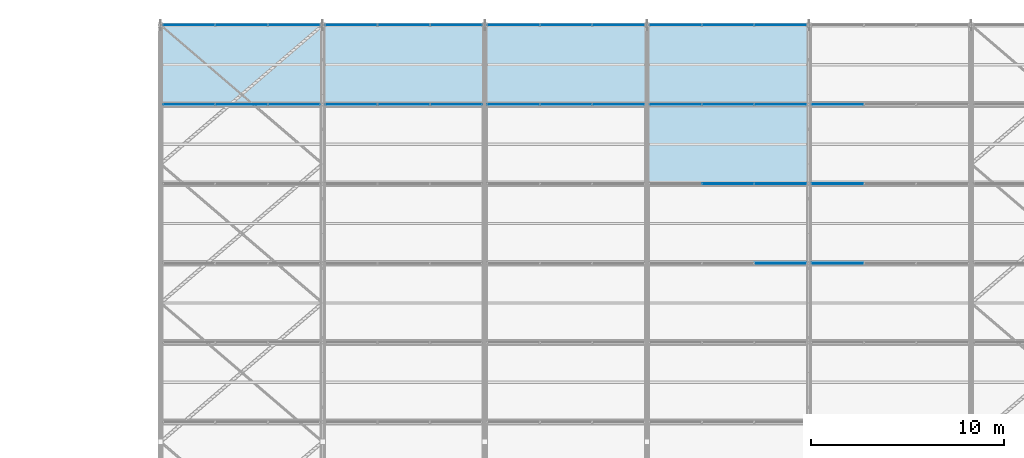
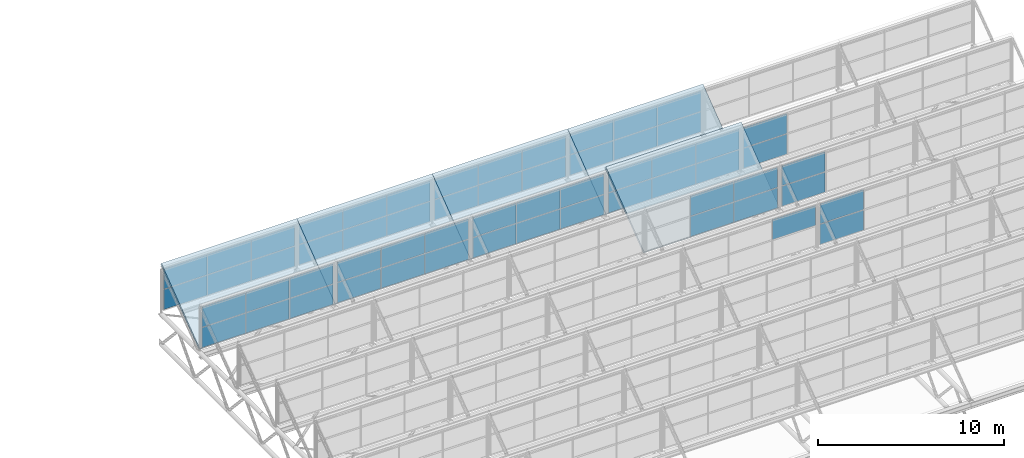
# One storey, part 108 of 134: 59 plates, 5 slabs, 13 elements without a shape of their own.
"""IFC4 building model written with IfcOpenShell, lengths in metres."""

from ifc_helpers import new_model, si_unit, derived_unit, direction, frame, origin, origin_2d, place, context, subcontext, project, spatial, polyline, rectangle, outline, extrude, material, layer, layer_set, type_object, element, aggregate, save


model = new_model("IFC4")

# Units and contexts
model_context = context("Model", 3, precision=1e-05, world=origin(), true_north=direction((0.0, 1.0)))
body_context = subcontext(model_context, "Body", "Model", "MODEL_VIEW")
ifc_project = project(units=[si_unit("LENGTHUNIT", "METRE"), si_unit("AREAUNIT", "SQUARE_METRE"), si_unit("VOLUMEUNIT", "CUBIC_METRE"), si_unit("PLANEANGLEUNIT", "RADIAN"), si_unit("MASSUNIT", "GRAM", prefix="KILO"), derived_unit("THERMALTRANSMITTANCEUNIT", [(si_unit("MASSUNIT", "GRAM", prefix="KILO"), 1), (si_unit("TIMEUNIT", "SECOND"), -3), (si_unit("THERMODYNAMICTEMPERATUREUNIT", "KELVIN"), -1)])], contexts=[model_context])

# Site, building, storey
site_placement = place(None, origin())
site = spatial("IfcSite", under=ifc_project, at=site_placement, CompositionType="ELEMENT")
building_placement = place(site_placement, origin())
building = spatial("IfcBuilding", under=site, at=building_placement, Name="Kharveza Railside Sports Centre", CompositionType="ELEMENT")
storey_placement = place(building_placement, frame((0.0, 0.0, 12.89990234375)))
storey = spatial("IfcBuildingStorey", under=building, at=storey_placement, Name="L03", CompositionType="ELEMENT", Elevation=12.89990234375)

# Curtain wall, plate
ifc_material_1 = material(Name="Low-E solar-control laminated glass", Category="glass")
curtain_wall_type = type_object("IfcCurtainWallType", Name="CW-NL02", PredefinedType="NOTDEFINED", material=ifc_material_1)
curtain_wall_1_placement = place(storey_placement, origin())
curtain_wall_1 = element("IfcCurtainWall", 1, at=curtain_wall_1_placement, inside=storey, type_object=curtain_wall_type, Name="CW-V2NL-4-4", PredefinedType="NOTDEFINED")
ifc_layer_1 = layer(ifc_material_1, 0.033935546875, Name="Low-E solar-control laminated glass")
ifc_layer_set_1 = layer_set([ifc_layer_1], Name="Low-E solar-control laminated glass")
plate_type = type_object("IfcPlateType", Name="PL-CP06", PredefinedType="CURTAIN_PANEL", material=ifc_layer_set_1)
plate_1_placement = place(storey_placement, frame((124.52001953125, 95.656982421875, 3.570068359375), z_axis=(0.0, 0.0, 1.0), x_axis=(1.0, 0.0, 0.0)))
plate_1 = element("IfcPlate", 2, at=plate_1_placement, type_object=plate_type, Name="CW-V2NL-4-4-PN32", PredefinedType="CURTAIN_PANEL", context=body_context, shape_type="SweptSolid", body=[
    extrude(rectangle(XDim=2.679931640625, YDim=0.033935546875, at=origin_2d()), origin(), (0.0, 0.0, 1.0), 1.31005859375),
])
aggregate(curtain_wall_1, [plate_1])

# Curtain wall, plates
curtain_wall_2_placement = place(storey_placement, origin())
curtain_wall_2 = element("IfcCurtainWall", 3, at=curtain_wall_2_placement, inside=storey, type_object=curtain_wall_type, Name="CW-V2NL-4-5", PredefinedType="NOTDEFINED")
plate_2_placement = place(storey_placement, frame((127.47998046875, 95.656982421875, 2.219970703125), z_axis=(0.0, 0.0, 1.0), x_axis=(1.0, 0.0, 0.0)))
plate_2 = element("IfcPlate", 4, at=plate_2_placement, type_object=plate_type, Name="CW-V2NL-4-5-PN11", PredefinedType="CURTAIN_PANEL", context=body_context, shape_type="SweptSolid", body=[
    extrude(rectangle(XDim=2.679931640625, YDim=0.033935546875, at=origin_2d()), origin(), (0.0, 0.0, 1.0), 1.31005859375),
])
plate_3_placement = place(storey_placement, frame((127.47998046875, 95.656982421875, 3.570068359375), z_axis=(0.0, 0.0, 1.0), x_axis=(1.0, 0.0, 0.0)))
plate_3 = element("IfcPlate", 5, at=plate_3_placement, type_object=plate_type, Name="CW-V2NL-4-5-PN12", PredefinedType="CURTAIN_PANEL", context=body_context, shape_type="SweptSolid", body=[
    extrude(rectangle(XDim=2.679931640625, YDim=0.033935546875, at=origin_2d()), origin(), (0.0, 0.0, 1.0), 1.31005859375),
])
aggregate(curtain_wall_2, [plate_2, plate_3])

curtain_wall_3_placement = place(storey_placement, origin())
curtain_wall_3 = element("IfcCurtainWall", 6, at=curtain_wall_3_placement, inside=storey, type_object=curtain_wall_type, Name="CW-V2NL-5-4", PredefinedType="NOTDEFINED")
plate_4_placement = place(storey_placement, frame((121.800048828125, 99.771484375, 2.219970703125), z_axis=(0.0, 0.0, 1.0), x_axis=(1.0, 0.0, 0.0)))
plate_4 = element("IfcPlate", 7, at=plate_4_placement, type_object=plate_type, Name="CW-V2NL-5-4-PN21", PredefinedType="CURTAIN_PANEL", context=body_context, shape_type="SweptSolid", body=[
    extrude(rectangle(XDim=2.679931640625, YDim=0.033935546875, at=origin_2d()), origin(), (0.0, 0.0, 1.0), 1.31005859375),
])
plate_5_placement = place(storey_placement, frame((121.800048828125, 99.771484375, 3.570068359375), z_axis=(0.0, 0.0, 1.0), x_axis=(1.0, 0.0, 0.0)))
plate_5 = element("IfcPlate", 8, at=plate_5_placement, type_object=plate_type, Name="CW-V2NL-5-4-PN22", PredefinedType="CURTAIN_PANEL", context=body_context, shape_type="SweptSolid", body=[
    extrude(rectangle(XDim=2.679931640625, YDim=0.033935546875, at=origin_2d()), origin(), (0.0, 0.0, 1.0), 1.31005859375),
])
plate_6_placement = place(storey_placement, frame((124.52001953125, 99.771484375, 2.219970703125), z_axis=(0.0, 0.0, 1.0), x_axis=(1.0, 0.0, 0.0)))
plate_6 = element("IfcPlate", 9, at=plate_6_placement, type_object=plate_type, Name="CW-V2NL-5-4-PN31", PredefinedType="CURTAIN_PANEL", context=body_context, shape_type="SweptSolid", body=[
    extrude(rectangle(XDim=2.679931640625, YDim=0.033935546875, at=origin_2d()), origin(), (0.0, 0.0, 1.0), 1.31005859375),
])
plate_7_placement = place(storey_placement, frame((124.52001953125, 99.771484375, 3.570068359375), z_axis=(0.0, 0.0, 1.0), x_axis=(1.0, 0.0, 0.0)))
plate_7 = element("IfcPlate", 10, at=plate_7_placement, type_object=plate_type, Name="CW-V2NL-5-4-PN32", PredefinedType="CURTAIN_PANEL", context=body_context, shape_type="SweptSolid", body=[
    extrude(rectangle(XDim=2.679931640625, YDim=0.033935546875, at=origin_2d()), origin(), (0.0, 0.0, 1.0), 1.31005859375),
])
aggregate(curtain_wall_3, [plate_4, plate_5, plate_6, plate_7])

curtain_wall_4_placement = place(storey_placement, origin())
curtain_wall_4 = element("IfcCurtainWall", 11, at=curtain_wall_4_placement, inside=storey, type_object=curtain_wall_type, Name="CW-V2NL-5-5", PredefinedType="NOTDEFINED")
plate_8_placement = place(storey_placement, frame((127.47998046875, 99.771484375, 2.219970703125), z_axis=(0.0, 0.0, 1.0), x_axis=(1.0, 0.0, 0.0)))
plate_8 = element("IfcPlate", 12, at=plate_8_placement, type_object=plate_type, Name="CW-V2NL-5-5-PN11", PredefinedType="CURTAIN_PANEL", context=body_context, shape_type="SweptSolid", body=[
    extrude(rectangle(XDim=2.679931640625, YDim=0.033935546875, at=origin_2d()), origin(), (0.0, 0.0, 1.0), 1.31005859375),
])
plate_9_placement = place(storey_placement, frame((127.47998046875, 99.771484375, 3.570068359375), z_axis=(0.0, 0.0, 1.0), x_axis=(1.0, 0.0, 0.0)))
plate_9 = element("IfcPlate", 13, at=plate_9_placement, type_object=plate_type, Name="CW-V2NL-5-5-PN12", PredefinedType="CURTAIN_PANEL", context=body_context, shape_type="SweptSolid", body=[
    extrude(rectangle(XDim=2.679931640625, YDim=0.033935546875, at=origin_2d()), origin(), (0.0, 0.0, 1.0), 1.31005859375),
])
aggregate(curtain_wall_4, [plate_8, plate_9])

curtain_wall_5_placement = place(storey_placement, origin())
curtain_wall_5 = element("IfcCurtainWall", 14, at=curtain_wall_5_placement, inside=storey, type_object=curtain_wall_type, Name="CW-V2NL-6-1", PredefinedType="NOTDEFINED")
plate_10_placement = place(storey_placement, frame((93.8798828125, 103.8857421875, 2.219970703125), z_axis=(0.0, 0.0, 1.0), x_axis=(1.0, 0.0, 0.0)))
plate_10 = element("IfcPlate", 15, at=plate_10_placement, type_object=plate_type, Name="CW-V2NL-6-1-PN11", PredefinedType="CURTAIN_PANEL", context=body_context, shape_type="SweptSolid", body=[
    extrude(rectangle(XDim=2.679931640625, YDim=0.033935546875, at=origin_2d()), origin(), (0.0, 0.0, 1.0), 1.31005859375),
])
plate_11_placement = place(storey_placement, frame((93.8798828125, 103.8857421875, 3.570068359375), z_axis=(0.0, 0.0, 1.0), x_axis=(1.0, 0.0, 0.0)))
plate_11 = element("IfcPlate", 16, at=plate_11_placement, type_object=plate_type, Name="CW-V2NL-6-1-PN12", PredefinedType="CURTAIN_PANEL", context=body_context, shape_type="SweptSolid", body=[
    extrude(rectangle(XDim=2.679931640625, YDim=0.033935546875, at=origin_2d()), origin(), (0.0, 0.0, 1.0), 1.31005859375),
])
plate_12_placement = place(storey_placement, frame((96.60009765625, 103.8857421875, 2.219970703125), z_axis=(0.0, 0.0, 1.0), x_axis=(1.0, 0.0, 0.0)))
plate_12 = element("IfcPlate", 17, at=plate_12_placement, type_object=plate_type, Name="CW-V2NL-6-1-PN21", PredefinedType="CURTAIN_PANEL", context=body_context, shape_type="SweptSolid", body=[
    extrude(rectangle(XDim=2.679931640625, YDim=0.033935546875, at=origin_2d()), origin(), (0.0, 0.0, 1.0), 1.31005859375),
])
plate_13_placement = place(storey_placement, frame((96.60009765625, 103.8857421875, 3.570068359375), z_axis=(0.0, 0.0, 1.0), x_axis=(1.0, 0.0, 0.0)))
plate_13 = element("IfcPlate", 18, at=plate_13_placement, type_object=plate_type, Name="CW-V2NL-6-1-PN22", PredefinedType="CURTAIN_PANEL", context=body_context, shape_type="SweptSolid", body=[
    extrude(rectangle(XDim=2.679931640625, YDim=0.033935546875, at=origin_2d()), origin(), (0.0, 0.0, 1.0), 1.31005859375),
])
plate_14_placement = place(storey_placement, frame((99.320068359375, 103.8857421875, 2.219970703125), z_axis=(0.0, 0.0, 1.0), x_axis=(1.0, 0.0, 0.0)))
plate_14 = element("IfcPlate", 19, at=plate_14_placement, type_object=plate_type, Name="CW-V2NL-6-1-PN31", PredefinedType="CURTAIN_PANEL", context=body_context, shape_type="SweptSolid", body=[
    extrude(rectangle(XDim=2.679931640625, YDim=0.033935546875, at=origin_2d()), origin(), (0.0, 0.0, 1.0), 1.31005859375),
])
plate_15_placement = place(storey_placement, frame((99.320068359375, 103.8857421875, 3.570068359375), z_axis=(0.0, 0.0, 1.0), x_axis=(1.0, 0.0, 0.0)))
plate_15 = element("IfcPlate", 20, at=plate_15_placement, type_object=plate_type, Name="CW-V2NL-6-1-PN32", PredefinedType="CURTAIN_PANEL", context=body_context, shape_type="SweptSolid", body=[
    extrude(rectangle(XDim=2.679931640625, YDim=0.033935546875, at=origin_2d()), origin(), (0.0, 0.0, 1.0), 1.31005859375),
])
aggregate(curtain_wall_5, [plate_10, plate_11, plate_12, plate_13, plate_14, plate_15])

curtain_wall_6_placement = place(storey_placement, origin())
curtain_wall_6 = element("IfcCurtainWall", 21, at=curtain_wall_6_placement, inside=storey, type_object=curtain_wall_type, Name="CW-V2NL-6-2", PredefinedType="NOTDEFINED")
plate_16_placement = place(storey_placement, frame((102.280029296875, 103.8857421875, 2.219970703125), z_axis=(0.0, 0.0, 1.0), x_axis=(1.0, 0.0, 0.0)))
plate_16 = element("IfcPlate", 22, at=plate_16_placement, type_object=plate_type, Name="CW-V2NL-6-2-PN11", PredefinedType="CURTAIN_PANEL", context=body_context, shape_type="SweptSolid", body=[
    extrude(rectangle(XDim=2.679931640625, YDim=0.033935546875, at=origin_2d()), origin(), (0.0, 0.0, 1.0), 1.31005859375),
])
plate_17_placement = place(storey_placement, frame((102.280029296875, 103.8857421875, 3.570068359375), z_axis=(0.0, 0.0, 1.0), x_axis=(1.0, 0.0, 0.0)))
plate_17 = element("IfcPlate", 23, at=plate_17_placement, type_object=plate_type, Name="CW-V2NL-6-2-PN12", PredefinedType="CURTAIN_PANEL", context=body_context, shape_type="SweptSolid", body=[
    extrude(rectangle(XDim=2.679931640625, YDim=0.033935546875, at=origin_2d()), origin(), (0.0, 0.0, 1.0), 1.31005859375),
])
plate_18_placement = place(storey_placement, frame((105.0, 103.8857421875, 2.219970703125), z_axis=(0.0, 0.0, 1.0), x_axis=(1.0, 0.0, 0.0)))
plate_18 = element("IfcPlate", 24, at=plate_18_placement, type_object=plate_type, Name="CW-V2NL-6-2-PN21", PredefinedType="CURTAIN_PANEL", context=body_context, shape_type="SweptSolid", body=[
    extrude(rectangle(XDim=2.679931640625, YDim=0.033935546875, at=origin_2d()), origin(), (0.0, 0.0, 1.0), 1.31005859375),
])
plate_19_placement = place(storey_placement, frame((105.0, 103.8857421875, 3.570068359375), z_axis=(0.0, 0.0, 1.0), x_axis=(1.0, 0.0, 0.0)))
plate_19 = element("IfcPlate", 25, at=plate_19_placement, type_object=plate_type, Name="CW-V2NL-6-2-PN22", PredefinedType="CURTAIN_PANEL", context=body_context, shape_type="SweptSolid", body=[
    extrude(rectangle(XDim=2.679931640625, YDim=0.033935546875, at=origin_2d()), origin(), (0.0, 0.0, 1.0), 1.31005859375),
])
plate_20_placement = place(storey_placement, frame((107.719970703125, 103.8857421875, 2.219970703125), z_axis=(0.0, 0.0, 1.0), x_axis=(1.0, 0.0, 0.0)))
plate_20 = element("IfcPlate", 26, at=plate_20_placement, type_object=plate_type, Name="CW-V2NL-6-2-PN31", PredefinedType="CURTAIN_PANEL", context=body_context, shape_type="SweptSolid", body=[
    extrude(rectangle(XDim=2.679931640625, YDim=0.033935546875, at=origin_2d()), origin(), (0.0, 0.0, 1.0), 1.31005859375),
])
plate_21_placement = place(storey_placement, frame((107.719970703125, 103.8857421875, 3.570068359375), z_axis=(0.0, 0.0, 1.0), x_axis=(1.0, 0.0, 0.0)))
plate_21 = element("IfcPlate", 27, at=plate_21_placement, type_object=plate_type, Name="CW-V2NL-6-2-PN32", PredefinedType="CURTAIN_PANEL", context=body_context, shape_type="SweptSolid", body=[
    extrude(rectangle(XDim=2.679931640625, YDim=0.033935546875, at=origin_2d()), origin(), (0.0, 0.0, 1.0), 1.31005859375),
])
aggregate(curtain_wall_6, [plate_16, plate_17, plate_18, plate_19, plate_20, plate_21])

curtain_wall_7_placement = place(storey_placement, origin())
curtain_wall_7 = element("IfcCurtainWall", 28, at=curtain_wall_7_placement, inside=storey, type_object=curtain_wall_type, Name="CW-V2NL-6-3", PredefinedType="NOTDEFINED")
plate_22_placement = place(storey_placement, frame((110.679931640625, 103.8857421875, 2.219970703125), z_axis=(0.0, 0.0, 1.0), x_axis=(1.0, 0.0, 0.0)))
plate_22 = element("IfcPlate", 29, at=plate_22_placement, type_object=plate_type, Name="CW-V2NL-6-3-PN11", PredefinedType="CURTAIN_PANEL", context=body_context, shape_type="SweptSolid", body=[
    extrude(rectangle(XDim=2.679931640625, YDim=0.033935546875, at=origin_2d()), origin(), (0.0, 0.0, 1.0), 1.31005859375),
])
plate_23_placement = place(storey_placement, frame((110.679931640625, 103.8857421875, 3.570068359375), z_axis=(0.0, 0.0, 1.0), x_axis=(1.0, 0.0, 0.0)))
plate_23 = element("IfcPlate", 30, at=plate_23_placement, type_object=plate_type, Name="CW-V2NL-6-3-PN12", PredefinedType="CURTAIN_PANEL", context=body_context, shape_type="SweptSolid", body=[
    extrude(rectangle(XDim=2.679931640625, YDim=0.033935546875, at=origin_2d()), origin(), (0.0, 0.0, 1.0), 1.31005859375),
])
plate_24_placement = place(storey_placement, frame((113.39990234375, 103.8857421875, 2.219970703125), z_axis=(0.0, 0.0, 1.0), x_axis=(1.0, 0.0, 0.0)))
plate_24 = element("IfcPlate", 31, at=plate_24_placement, type_object=plate_type, Name="CW-V2NL-6-3-PN21", PredefinedType="CURTAIN_PANEL", context=body_context, shape_type="SweptSolid", body=[
    extrude(rectangle(XDim=2.679931640625, YDim=0.033935546875, at=origin_2d()), origin(), (0.0, 0.0, 1.0), 1.31005859375),
])
plate_25_placement = place(storey_placement, frame((113.39990234375, 103.8857421875, 3.570068359375), z_axis=(0.0, 0.0, 1.0), x_axis=(1.0, 0.0, 0.0)))
plate_25 = element("IfcPlate", 32, at=plate_25_placement, type_object=plate_type, Name="CW-V2NL-6-3-PN22", PredefinedType="CURTAIN_PANEL", context=body_context, shape_type="SweptSolid", body=[
    extrude(rectangle(XDim=2.679931640625, YDim=0.033935546875, at=origin_2d()), origin(), (0.0, 0.0, 1.0), 1.31005859375),
])
plate_26_placement = place(storey_placement, frame((116.1201171875, 103.8857421875, 2.219970703125), z_axis=(0.0, 0.0, 1.0), x_axis=(1.0, 0.0, 0.0)))
plate_26 = element("IfcPlate", 33, at=plate_26_placement, type_object=plate_type, Name="CW-V2NL-6-3-PN31", PredefinedType="CURTAIN_PANEL", context=body_context, shape_type="SweptSolid", body=[
    extrude(rectangle(XDim=2.679931640625, YDim=0.033935546875, at=origin_2d()), origin(), (0.0, 0.0, 1.0), 1.31005859375),
])
plate_27_placement = place(storey_placement, frame((116.1201171875, 103.8857421875, 3.570068359375), z_axis=(0.0, 0.0, 1.0), x_axis=(1.0, 0.0, 0.0)))
plate_27 = element("IfcPlate", 34, at=plate_27_placement, type_object=plate_type, Name="CW-V2NL-6-3-PN32", PredefinedType="CURTAIN_PANEL", context=body_context, shape_type="SweptSolid", body=[
    extrude(rectangle(XDim=2.679931640625, YDim=0.033935546875, at=origin_2d()), origin(), (0.0, 0.0, 1.0), 1.31005859375),
])
aggregate(curtain_wall_7, [plate_22, plate_23, plate_24, plate_25, plate_26, plate_27])

curtain_wall_8_placement = place(storey_placement, origin())
curtain_wall_8 = element("IfcCurtainWall", 35, at=curtain_wall_8_placement, inside=storey, type_object=curtain_wall_type, Name="CW-V2NL-6-4", PredefinedType="NOTDEFINED")
plate_28_placement = place(storey_placement, frame((119.080078125, 103.8857421875, 2.219970703125), z_axis=(0.0, 0.0, 1.0), x_axis=(1.0, 0.0, 0.0)))
plate_28 = element("IfcPlate", 36, at=plate_28_placement, type_object=plate_type, Name="CW-V2NL-6-4-PN11", PredefinedType="CURTAIN_PANEL", context=body_context, shape_type="SweptSolid", body=[
    extrude(rectangle(XDim=2.679931640625, YDim=0.033935546875, at=origin_2d()), origin(), (0.0, 0.0, 1.0), 1.31005859375),
])
plate_29_placement = place(storey_placement, frame((119.080078125, 103.8857421875, 3.570068359375), z_axis=(0.0, 0.0, 1.0), x_axis=(1.0, 0.0, 0.0)))
plate_29 = element("IfcPlate", 37, at=plate_29_placement, type_object=plate_type, Name="CW-V2NL-6-4-PN12", PredefinedType="CURTAIN_PANEL", context=body_context, shape_type="SweptSolid", body=[
    extrude(rectangle(XDim=2.679931640625, YDim=0.033935546875, at=origin_2d()), origin(), (0.0, 0.0, 1.0), 1.31005859375),
])
plate_30_placement = place(storey_placement, frame((121.800048828125, 103.8857421875, 2.219970703125), z_axis=(0.0, 0.0, 1.0), x_axis=(1.0, 0.0, 0.0)))
plate_30 = element("IfcPlate", 38, at=plate_30_placement, type_object=plate_type, Name="CW-V2NL-6-4-PN21", PredefinedType="CURTAIN_PANEL", context=body_context, shape_type="SweptSolid", body=[
    extrude(rectangle(XDim=2.679931640625, YDim=0.033935546875, at=origin_2d()), origin(), (0.0, 0.0, 1.0), 1.31005859375),
])
plate_31_placement = place(storey_placement, frame((121.800048828125, 103.8857421875, 3.570068359375), z_axis=(0.0, 0.0, 1.0), x_axis=(1.0, 0.0, 0.0)))
plate_31 = element("IfcPlate", 39, at=plate_31_placement, type_object=plate_type, Name="CW-V2NL-6-4-PN22", PredefinedType="CURTAIN_PANEL", context=body_context, shape_type="SweptSolid", body=[
    extrude(rectangle(XDim=2.679931640625, YDim=0.033935546875, at=origin_2d()), origin(), (0.0, 0.0, 1.0), 1.31005859375),
])
plate_32_placement = place(storey_placement, frame((124.52001953125, 103.8857421875, 2.219970703125), z_axis=(0.0, 0.0, 1.0), x_axis=(1.0, 0.0, 0.0)))
plate_32 = element("IfcPlate", 40, at=plate_32_placement, type_object=plate_type, Name="CW-V2NL-6-4-PN31", PredefinedType="CURTAIN_PANEL", context=body_context, shape_type="SweptSolid", body=[
    extrude(rectangle(XDim=2.679931640625, YDim=0.033935546875, at=origin_2d()), origin(), (0.0, 0.0, 1.0), 1.31005859375),
])
plate_33_placement = place(storey_placement, frame((124.52001953125, 103.8857421875, 3.570068359375), z_axis=(0.0, 0.0, 1.0), x_axis=(1.0, 0.0, 0.0)))
plate_33 = element("IfcPlate", 41, at=plate_33_placement, type_object=plate_type, Name="CW-V2NL-6-4-PN32", PredefinedType="CURTAIN_PANEL", context=body_context, shape_type="SweptSolid", body=[
    extrude(rectangle(XDim=2.679931640625, YDim=0.033935546875, at=origin_2d()), origin(), (0.0, 0.0, 1.0), 1.31005859375),
])
aggregate(curtain_wall_8, [plate_28, plate_29, plate_30, plate_31, plate_32, plate_33])

curtain_wall_9_placement = place(storey_placement, origin())
curtain_wall_9 = element("IfcCurtainWall", 42, at=curtain_wall_9_placement, inside=storey, type_object=curtain_wall_type, Name="CW-V2NL-6-5", PredefinedType="NOTDEFINED")
plate_34_placement = place(storey_placement, frame((127.47998046875, 103.8857421875, 2.219970703125), z_axis=(0.0, 0.0, 1.0), x_axis=(1.0, 0.0, 0.0)))
plate_34 = element("IfcPlate", 43, at=plate_34_placement, type_object=plate_type, Name="CW-V2NL-6-5-PN11", PredefinedType="CURTAIN_PANEL", context=body_context, shape_type="SweptSolid", body=[
    extrude(rectangle(XDim=2.679931640625, YDim=0.033935546875, at=origin_2d()), origin(), (0.0, 0.0, 1.0), 1.31005859375),
])
plate_35_placement = place(storey_placement, frame((127.47998046875, 103.8857421875, 3.570068359375), z_axis=(0.0, 0.0, 1.0), x_axis=(1.0, 0.0, 0.0)))
plate_35 = element("IfcPlate", 44, at=plate_35_placement, type_object=plate_type, Name="CW-V2NL-6-5-PN12", PredefinedType="CURTAIN_PANEL", context=body_context, shape_type="SweptSolid", body=[
    extrude(rectangle(XDim=2.679931640625, YDim=0.033935546875, at=origin_2d()), origin(), (0.0, 0.0, 1.0), 1.31005859375),
])
aggregate(curtain_wall_9, [plate_34, plate_35])

curtain_wall_10_placement = place(storey_placement, origin())
curtain_wall_10 = element("IfcCurtainWall", 45, at=curtain_wall_10_placement, inside=storey, type_object=curtain_wall_type, Name="CW-V2NL-7-1", PredefinedType="NOTDEFINED")
plate_36_placement = place(storey_placement, frame((93.8798828125, 108.0, 2.219970703125), z_axis=(0.0, 0.0, 1.0), x_axis=(1.0, 0.0, 0.0)))
plate_36 = element("IfcPlate", 46, at=plate_36_placement, type_object=plate_type, Name="CW-V2NL-7-1-PN11", PredefinedType="CURTAIN_PANEL", context=body_context, shape_type="SweptSolid", body=[
    extrude(rectangle(XDim=2.679931640625, YDim=0.033935546875, at=origin_2d()), origin(), (0.0, 0.0, 1.0), 1.31005859375),
])
plate_37_placement = place(storey_placement, frame((93.8798828125, 108.0, 3.570068359375), z_axis=(0.0, 0.0, 1.0), x_axis=(1.0, 0.0, 0.0)))
plate_37 = element("IfcPlate", 47, at=plate_37_placement, type_object=plate_type, Name="CW-V2NL-7-1-PN12", PredefinedType="CURTAIN_PANEL", context=body_context, shape_type="SweptSolid", body=[
    extrude(rectangle(XDim=2.679931640625, YDim=0.033935546875, at=origin_2d()), origin(), (0.0, 0.0, 1.0), 1.31005859375),
])
plate_38_placement = place(storey_placement, frame((96.60009765625, 108.0, 2.219970703125), z_axis=(0.0, 0.0, 1.0), x_axis=(1.0, 0.0, 0.0)))
plate_38 = element("IfcPlate", 48, at=plate_38_placement, type_object=plate_type, Name="CW-V2NL-7-1-PN21", PredefinedType="CURTAIN_PANEL", context=body_context, shape_type="SweptSolid", body=[
    extrude(rectangle(XDim=2.679931640625, YDim=0.033935546875, at=origin_2d()), origin(), (0.0, 0.0, 1.0), 1.31005859375),
])
plate_39_placement = place(storey_placement, frame((96.60009765625, 108.0, 3.570068359375), z_axis=(0.0, 0.0, 1.0), x_axis=(1.0, 0.0, 0.0)))
plate_39 = element("IfcPlate", 49, at=plate_39_placement, type_object=plate_type, Name="CW-V2NL-7-1-PN22", PredefinedType="CURTAIN_PANEL", context=body_context, shape_type="SweptSolid", body=[
    extrude(rectangle(XDim=2.679931640625, YDim=0.033935546875, at=origin_2d()), origin(), (0.0, 0.0, 1.0), 1.31005859375),
])
plate_40_placement = place(storey_placement, frame((99.320068359375, 108.0, 2.219970703125), z_axis=(0.0, 0.0, 1.0), x_axis=(1.0, 0.0, 0.0)))
plate_40 = element("IfcPlate", 50, at=plate_40_placement, type_object=plate_type, Name="CW-V2NL-7-1-PN31", PredefinedType="CURTAIN_PANEL", context=body_context, shape_type="SweptSolid", body=[
    extrude(rectangle(XDim=2.679931640625, YDim=0.033935546875, at=origin_2d()), origin(), (0.0, 0.0, 1.0), 1.31005859375),
])
plate_41_placement = place(storey_placement, frame((99.320068359375, 108.0, 3.570068359375), z_axis=(0.0, 0.0, 1.0), x_axis=(1.0, 0.0, 0.0)))
plate_41 = element("IfcPlate", 51, at=plate_41_placement, type_object=plate_type, Name="CW-V2NL-7-1-PN32", PredefinedType="CURTAIN_PANEL", context=body_context, shape_type="SweptSolid", body=[
    extrude(rectangle(XDim=2.679931640625, YDim=0.033935546875, at=origin_2d()), origin(), (0.0, 0.0, 1.0), 1.31005859375),
])
aggregate(curtain_wall_10, [plate_36, plate_37, plate_38, plate_39, plate_40, plate_41])

curtain_wall_11_placement = place(storey_placement, origin())
curtain_wall_11 = element("IfcCurtainWall", 52, at=curtain_wall_11_placement, inside=storey, type_object=curtain_wall_type, Name="CW-V2NL-7-2", PredefinedType="NOTDEFINED")
plate_42_placement = place(storey_placement, frame((102.280029296875, 108.0, 2.219970703125), z_axis=(0.0, 0.0, 1.0), x_axis=(1.0, 0.0, 0.0)))
plate_42 = element("IfcPlate", 53, at=plate_42_placement, type_object=plate_type, Name="CW-V2NL-7-2-PN11", PredefinedType="CURTAIN_PANEL", context=body_context, shape_type="SweptSolid", body=[
    extrude(rectangle(XDim=2.679931640625, YDim=0.033935546875, at=origin_2d()), origin(), (0.0, 0.0, 1.0), 1.31005859375),
])
plate_43_placement = place(storey_placement, frame((102.280029296875, 108.0, 3.570068359375), z_axis=(0.0, 0.0, 1.0), x_axis=(1.0, 0.0, 0.0)))
plate_43 = element("IfcPlate", 54, at=plate_43_placement, type_object=plate_type, Name="CW-V2NL-7-2-PN12", PredefinedType="CURTAIN_PANEL", context=body_context, shape_type="SweptSolid", body=[
    extrude(rectangle(XDim=2.679931640625, YDim=0.033935546875, at=origin_2d()), origin(), (0.0, 0.0, 1.0), 1.31005859375),
])
plate_44_placement = place(storey_placement, frame((105.0, 108.0, 2.219970703125), z_axis=(0.0, 0.0, 1.0), x_axis=(1.0, 0.0, 0.0)))
plate_44 = element("IfcPlate", 55, at=plate_44_placement, type_object=plate_type, Name="CW-V2NL-7-2-PN21", PredefinedType="CURTAIN_PANEL", context=body_context, shape_type="SweptSolid", body=[
    extrude(rectangle(XDim=2.679931640625, YDim=0.033935546875, at=origin_2d()), origin(), (0.0, 0.0, 1.0), 1.31005859375),
])
plate_45_placement = place(storey_placement, frame((105.0, 108.0, 3.570068359375), z_axis=(0.0, 0.0, 1.0), x_axis=(1.0, 0.0, 0.0)))
plate_45 = element("IfcPlate", 56, at=plate_45_placement, type_object=plate_type, Name="CW-V2NL-7-2-PN22", PredefinedType="CURTAIN_PANEL", context=body_context, shape_type="SweptSolid", body=[
    extrude(rectangle(XDim=2.679931640625, YDim=0.033935546875, at=origin_2d()), origin(), (0.0, 0.0, 1.0), 1.31005859375),
])
plate_46_placement = place(storey_placement, frame((107.719970703125, 108.0, 2.219970703125), z_axis=(0.0, 0.0, 1.0), x_axis=(1.0, 0.0, 0.0)))
plate_46 = element("IfcPlate", 57, at=plate_46_placement, type_object=plate_type, Name="CW-V2NL-7-2-PN31", PredefinedType="CURTAIN_PANEL", context=body_context, shape_type="SweptSolid", body=[
    extrude(rectangle(XDim=2.679931640625, YDim=0.033935546875, at=origin_2d()), origin(), (0.0, 0.0, 1.0), 1.31005859375),
])
plate_47_placement = place(storey_placement, frame((107.719970703125, 108.0, 3.570068359375), z_axis=(0.0, 0.0, 1.0), x_axis=(1.0, 0.0, 0.0)))
plate_47 = element("IfcPlate", 58, at=plate_47_placement, type_object=plate_type, Name="CW-V2NL-7-2-PN32", PredefinedType="CURTAIN_PANEL", context=body_context, shape_type="SweptSolid", body=[
    extrude(rectangle(XDim=2.679931640625, YDim=0.033935546875, at=origin_2d()), origin(), (0.0, 0.0, 1.0), 1.31005859375),
])
aggregate(curtain_wall_11, [plate_42, plate_43, plate_44, plate_45, plate_46, plate_47])

curtain_wall_12_placement = place(storey_placement, origin())
curtain_wall_12 = element("IfcCurtainWall", 59, at=curtain_wall_12_placement, inside=storey, type_object=curtain_wall_type, Name="CW-V2NL-7-3", PredefinedType="NOTDEFINED")
plate_48_placement = place(storey_placement, frame((110.679931640625, 108.0, 2.219970703125), z_axis=(0.0, 0.0, 1.0), x_axis=(1.0, 0.0, 0.0)))
plate_48 = element("IfcPlate", 60, at=plate_48_placement, type_object=plate_type, Name="CW-V2NL-7-3-PN11", PredefinedType="CURTAIN_PANEL", context=body_context, shape_type="SweptSolid", body=[
    extrude(rectangle(XDim=2.679931640625, YDim=0.033935546875, at=origin_2d()), origin(), (0.0, 0.0, 1.0), 1.31005859375),
])
plate_49_placement = place(storey_placement, frame((110.679931640625, 108.0, 3.570068359375), z_axis=(0.0, 0.0, 1.0), x_axis=(1.0, 0.0, 0.0)))
plate_49 = element("IfcPlate", 61, at=plate_49_placement, type_object=plate_type, Name="CW-V2NL-7-3-PN12", PredefinedType="CURTAIN_PANEL", context=body_context, shape_type="SweptSolid", body=[
    extrude(rectangle(XDim=2.679931640625, YDim=0.033935546875, at=origin_2d()), origin(), (0.0, 0.0, 1.0), 1.31005859375),
])
plate_50_placement = place(storey_placement, frame((113.39990234375, 108.0, 2.219970703125), z_axis=(0.0, 0.0, 1.0), x_axis=(1.0, 0.0, 0.0)))
plate_50 = element("IfcPlate", 62, at=plate_50_placement, type_object=plate_type, Name="CW-V2NL-7-3-PN21", PredefinedType="CURTAIN_PANEL", context=body_context, shape_type="SweptSolid", body=[
    extrude(rectangle(XDim=2.679931640625, YDim=0.033935546875, at=origin_2d()), origin(), (0.0, 0.0, 1.0), 1.31005859375),
])
plate_51_placement = place(storey_placement, frame((113.39990234375, 108.0, 3.570068359375), z_axis=(0.0, 0.0, 1.0), x_axis=(1.0, 0.0, 0.0)))
plate_51 = element("IfcPlate", 63, at=plate_51_placement, type_object=plate_type, Name="CW-V2NL-7-3-PN22", PredefinedType="CURTAIN_PANEL", context=body_context, shape_type="SweptSolid", body=[
    extrude(rectangle(XDim=2.679931640625, YDim=0.033935546875, at=origin_2d()), origin(), (0.0, 0.0, 1.0), 1.31005859375),
])
plate_52_placement = place(storey_placement, frame((116.1201171875, 108.0, 2.219970703125), z_axis=(0.0, 0.0, 1.0), x_axis=(1.0, 0.0, 0.0)))
plate_52 = element("IfcPlate", 64, at=plate_52_placement, type_object=plate_type, Name="CW-V2NL-7-3-PN31", PredefinedType="CURTAIN_PANEL", context=body_context, shape_type="SweptSolid", body=[
    extrude(rectangle(XDim=2.679931640625, YDim=0.033935546875, at=origin_2d()), origin(), (0.0, 0.0, 1.0), 1.31005859375),
])
plate_53_placement = place(storey_placement, frame((116.1201171875, 108.0, 3.570068359375), z_axis=(0.0, 0.0, 1.0), x_axis=(1.0, 0.0, 0.0)))
plate_53 = element("IfcPlate", 65, at=plate_53_placement, type_object=plate_type, Name="CW-V2NL-7-3-PN32", PredefinedType="CURTAIN_PANEL", context=body_context, shape_type="SweptSolid", body=[
    extrude(rectangle(XDim=2.679931640625, YDim=0.033935546875, at=origin_2d()), origin(), (0.0, 0.0, 1.0), 1.31005859375),
])
aggregate(curtain_wall_12, [plate_48, plate_49, plate_50, plate_51, plate_52, plate_53])

curtain_wall_13_placement = place(storey_placement, origin())
curtain_wall_13 = element("IfcCurtainWall", 66, at=curtain_wall_13_placement, inside=storey, type_object=curtain_wall_type, Name="CW-V2NL-7-4", PredefinedType="NOTDEFINED")
plate_54_placement = place(storey_placement, frame((119.080078125, 108.0, 2.219970703125), z_axis=(0.0, 0.0, 1.0), x_axis=(1.0, 0.0, 0.0)))
plate_54 = element("IfcPlate", 67, at=plate_54_placement, type_object=plate_type, Name="CW-V2NL-7-4-PN11", PredefinedType="CURTAIN_PANEL", context=body_context, shape_type="SweptSolid", body=[
    extrude(rectangle(XDim=2.679931640625, YDim=0.033935546875, at=origin_2d()), origin(), (0.0, 0.0, 1.0), 1.31005859375),
])
plate_55_placement = place(storey_placement, frame((119.080078125, 108.0, 3.570068359375), z_axis=(0.0, 0.0, 1.0), x_axis=(1.0, 0.0, 0.0)))
plate_55 = element("IfcPlate", 68, at=plate_55_placement, type_object=plate_type, Name="CW-V2NL-7-4-PN12", PredefinedType="CURTAIN_PANEL", context=body_context, shape_type="SweptSolid", body=[
    extrude(rectangle(XDim=2.679931640625, YDim=0.033935546875, at=origin_2d()), origin(), (0.0, 0.0, 1.0), 1.31005859375),
])
plate_56_placement = place(storey_placement, frame((121.800048828125, 108.0, 2.219970703125), z_axis=(0.0, 0.0, 1.0), x_axis=(1.0, 0.0, 0.0)))
plate_56 = element("IfcPlate", 69, at=plate_56_placement, type_object=plate_type, Name="CW-V2NL-7-4-PN21", PredefinedType="CURTAIN_PANEL", context=body_context, shape_type="SweptSolid", body=[
    extrude(rectangle(XDim=2.679931640625, YDim=0.033935546875, at=origin_2d()), origin(), (0.0, 0.0, 1.0), 1.31005859375),
])
plate_57_placement = place(storey_placement, frame((121.800048828125, 108.0, 3.570068359375), z_axis=(0.0, 0.0, 1.0), x_axis=(1.0, 0.0, 0.0)))
plate_57 = element("IfcPlate", 70, at=plate_57_placement, type_object=plate_type, Name="CW-V2NL-7-4-PN22", PredefinedType="CURTAIN_PANEL", context=body_context, shape_type="SweptSolid", body=[
    extrude(rectangle(XDim=2.679931640625, YDim=0.033935546875, at=origin_2d()), origin(), (0.0, 0.0, 1.0), 1.31005859375),
])
plate_58_placement = place(storey_placement, frame((124.52001953125, 108.0, 2.219970703125), z_axis=(0.0, 0.0, 1.0), x_axis=(1.0, 0.0, 0.0)))
plate_58 = element("IfcPlate", 71, at=plate_58_placement, type_object=plate_type, Name="CW-V2NL-7-4-PN31", PredefinedType="CURTAIN_PANEL", context=body_context, shape_type="SweptSolid", body=[
    extrude(rectangle(XDim=2.679931640625, YDim=0.033935546875, at=origin_2d()), origin(), (0.0, 0.0, 1.0), 1.31005859375),
])
plate_59_placement = place(storey_placement, frame((124.52001953125, 108.0, 3.570068359375), z_axis=(0.0, 0.0, 1.0), x_axis=(1.0, 0.0, 0.0)))
plate_59 = element("IfcPlate", 72, at=plate_59_placement, type_object=plate_type, Name="CW-V2NL-7-4-PN32", PredefinedType="CURTAIN_PANEL", context=body_context, shape_type="SweptSolid", body=[
    extrude(rectangle(XDim=2.679931640625, YDim=0.033935546875, at=origin_2d()), origin(), (0.0, 0.0, 1.0), 1.31005859375),
])
aggregate(curtain_wall_13, [plate_54, plate_55, plate_56, plate_57, plate_58, plate_59])

# Slabs
ifc_material_2 = material(Name="Insulated standing-seam zinc-aluminium roof panel", Category="aluminium")
ifc_layer_2 = layer(ifc_material_2, 0.155029296875, Name="Insulated standing-seam zinc-aluminium roof panel")
ifc_layer_set_2 = layer_set([ifc_layer_2], Name="Insulated standing-seam zinc-aluminium roof panel")
slab_type = type_object("IfcSlabType", Name="SL-RF155", PredefinedType="ROOF", material=ifc_layer_set_2)
slab_1_placement = place(storey_placement, frame((117.60009765625, 99.771484375, 2.2001953125), z_axis=(0.0, -0.601757803356, 0.798678625042), x_axis=(1.0, 0.0, 0.0)))
element("IfcSlab", 73, at=slab_1_placement, inside=storey, type_object=slab_type, Name="Training Hall Sawtooth Roof Bay 6-4", PredefinedType="ROOF", context=body_context, shape_type="SweptSolid", body=[
    extrude(outline(polyline([(0.0, 0.0), (8.39990234375, 0.0), (8.39990234375, 5.151330815046725), (0.0, 5.151330815046725), (0.0, 0.0)])), origin(), (0.0, 0.0, -1.0), 0.155029296875),
])
slab_2_placement = place(storey_placement, frame((92.39990234375, 103.8857421875, 2.2001953125), z_axis=(0.0, -0.601757803356, 0.798678625042), x_axis=(1.0, 0.0, 0.0)))
element("IfcSlab", 74, at=slab_2_placement, inside=storey, type_object=slab_type, Name="Training Hall Sawtooth Roof Bay 7-1", PredefinedType="ROOF", context=body_context, shape_type="SweptSolid", body=[
    extrude(outline(polyline([(0.0, 0.0), (8.400146484375, 0.0), (8.400146484375, 5.151330815046725), (0.0, 5.151330815046725), (0.0, 0.0)])), origin(), (0.0, 0.0, -1.0), 0.155029296875),
])
slab_3_placement = place(storey_placement, frame((100.800048828125, 103.8857421875, 2.2001953125), z_axis=(0.0, -0.601757803356, 0.798678625042), x_axis=(1.0, 0.0, 0.0)))
element("IfcSlab", 75, at=slab_3_placement, inside=storey, type_object=slab_type, Name="Training Hall Sawtooth Roof Bay 7-2", PredefinedType="ROOF", context=body_context, shape_type="SweptSolid", body=[
    extrude(outline(polyline([(0.0, 0.0), (8.39990234375, 0.0), (8.39990234375, 5.151330815046725), (0.0, 5.151330815046725), (0.0, 0.0)])), origin(), (0.0, 0.0, -1.0), 0.155029296875),
])
slab_4_placement = place(storey_placement, frame((109.199951171875, 103.8857421875, 2.2001953125), z_axis=(0.0, -0.601757803356, 0.798678625042), x_axis=(1.0, 0.0, 0.0)))
element("IfcSlab", 76, at=slab_4_placement, inside=storey, type_object=slab_type, Name="Training Hall Sawtooth Roof Bay 7-3", PredefinedType="ROOF", context=body_context, shape_type="SweptSolid", body=[
    extrude(outline(polyline([(0.0, 0.0), (8.400146484375, 0.0), (8.400146484375, 5.151330815046725), (0.0, 5.151330815046725), (0.0, 0.0)])), origin(), (0.0, 0.0, -1.0), 0.155029296875),
])
slab_5_placement = place(storey_placement, frame((117.60009765625, 103.8857421875, 2.2001953125), z_axis=(0.0, -0.601757803356, 0.798678625042), x_axis=(1.0, 0.0, 0.0)))
element("IfcSlab", 77, at=slab_5_placement, inside=storey, type_object=slab_type, Name="Training Hall Sawtooth Roof Bay 7-4", PredefinedType="ROOF", context=body_context, shape_type="SweptSolid", body=[
    extrude(outline(polyline([(0.0, 0.0), (8.39990234375, 0.0), (8.39990234375, 5.151330815046725), (0.0, 5.151330815046725), (0.0, 0.0)])), origin(), (0.0, 0.0, -1.0), 0.155029296875),
])

save(model, "model.ifc")
